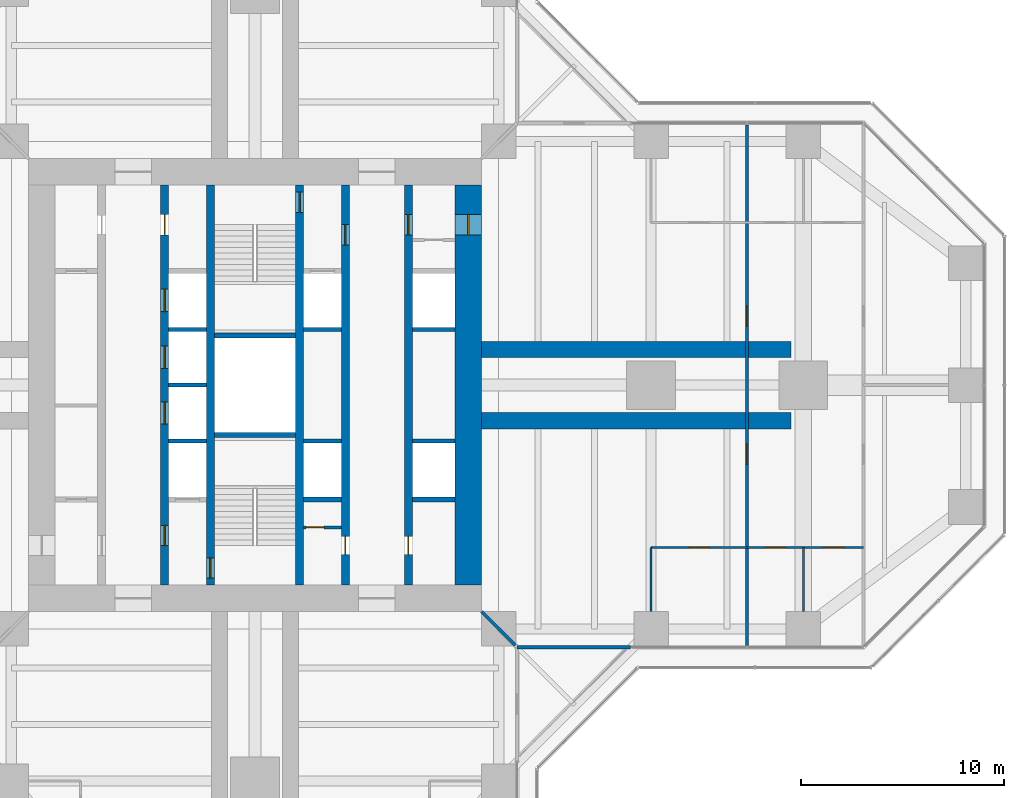
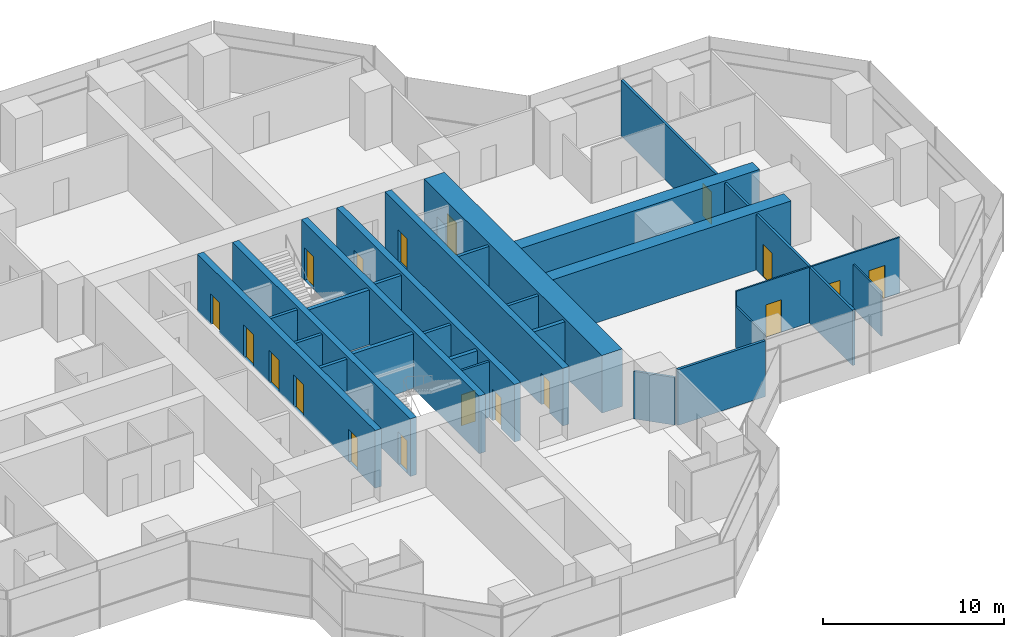
# One storey, part 16 of 20: 27 walls, 18 doors, 18 openings.
"""IFC4 building model written with IfcOpenShell, lengths in metres."""

from ifc_helpers import new_model, si_unit, direction, frame, frame_2d, origin, place, context, subcontext, project, spatial, rectangle, extrude, material, layer, layer_set, type_object, element, fill, save


model = new_model("IFC4")

# Units and contexts
model_context = context("Model", 3, precision=1e-05, world=origin(), true_north=direction((0.0, 1.0)))
body_context = subcontext(model_context, "Body", "Model", "MODEL_VIEW")
ifc_project = project(units=[si_unit("LENGTHUNIT", "METRE"), si_unit("AREAUNIT", "SQUARE_METRE"), si_unit("VOLUMEUNIT", "CUBIC_METRE"), si_unit("PLANEANGLEUNIT", "RADIAN"), si_unit("MASSUNIT", "GRAM", prefix="KILO")], contexts=[model_context])

# Site, building, storey
site_placement = place(None, origin())
site = spatial("IfcSite", under=ifc_project, at=site_placement, CompositionType="ELEMENT")
building_placement = place(site_placement, origin())
building = spatial("IfcBuilding", under=site, at=building_placement, Name="Mizan Broadcast Tower", CompositionType="ELEMENT")
storey_placement = place(building_placement, frame((0.0, 0.0, 143.699951171875)))
storey = spatial("IfcBuildingStorey", under=building, at=storey_placement, Name="L32", CompositionType="ELEMENT", Elevation=143.699951171875)

# Wall, openings, doors
ifc_material_1 = material(Name="Concrete C70/85", Category="concrete")
ifc_layer_1 = layer(ifc_material_1, 0.39990234375)
ifc_layer_set_1 = layer_set([ifc_layer_1], Name="Concrete C70/85")
wall_type_1 = type_object("IfcWallType", Name="CORE INTERNAL WALL 400", PredefinedType="SHEAR", material=ifc_layer_set_1)
wall_1_placement = place(storey_placement, frame((7.550048828125, 9.85009765625, 0.0), z_axis=(0.0, 0.0, 1.0), x_axis=(0.0, -1.0, 0.0)))
wall_1 = element("IfcWall", 1, at=wall_1_placement, inside=storey, type_object=wall_type_1, Name="Core wall CORE/XW1E", PredefinedType="SHEAR", context=body_context, shape_type="SweptSolid", body=[
    extrude(rectangle(XDim=19.7001953125, YDim=0.39990234375, at=frame_2d((9.85009765625, 0.0))), origin(), (0.0, 0.0, 1.0), 3.900146484375),
])
opening_1_placement = place(wall_1_placement, frame((1.449951171875, 0.0, 0.0)))
opening_1 = element("IfcOpeningElement", 2, at=opening_1_placement, cuts=wall_1, Name="Opening D10F", PredefinedType="OPENING", context=body_context, shape_type="SweptSolid", body=[
    extrude(rectangle(XDim=1.0, YDim=2.199951171875, at=frame_2d((0.5, 1.10009765625))), frame((0.0, 0.2099609375, 0.0), z_axis=(0.0, -1.0, 0.0), x_axis=(1.0, 0.0, 0.0)), (0.0, 0.0, 1.0), 0.419921875),
])
opening_2_placement = place(wall_1_placement, frame((17.300048828125, 0.0, 0.0)))
opening_2 = element("IfcOpeningElement", 3, at=opening_2_placement, cuts=wall_1, Name="Opening D09", PredefinedType="OPENING", context=body_context, shape_type="SweptSolid", body=[
    extrude(rectangle(XDim=0.89990234375, YDim=2.10009765625, at=frame_2d((0.449951171875, 1.050048828125))), frame((0.0, 0.2099609375, 0.0), z_axis=(0.0, -1.0, 0.0), x_axis=(1.0, 0.0, 0.0)), (0.0, 0.0, 1.0), 0.419921875),
])
ifc_material_2 = material(Name="Steel door leaf in steel frame", Category="steel")
door_type_1 = type_object("IfcDoorType", Name="FIRE DOOR 1000 FD90", OperationType="SINGLE_SWING_LEFT", PredefinedType="DOOR", material=ifc_material_2)
door_1_placement = place(opening_1_placement, origin())
door_1 = element("IfcDoor", 4, at=door_1_placement, inside=storey, type_object=door_type_1, Name="East core passage door", OperationType="SINGLE_SWING_LEFT", OverallHeight=2.199951171875, OverallWidth=1.0, PredefinedType="DOOR", context=body_context, shape_type="SweptSolid", body=[
    extrude(rectangle(XDim=1.0, YDim=2.199951171875, at=frame_2d((0.5, 1.10009765625))), frame((0.0, 0.02490234375, 0.0), z_axis=(0.0, -1.0, 0.0), x_axis=(1.0, 0.0, 0.0)), (0.0, 0.0, 1.0), 0.050048828125),
])
fill(opening_1, door_1)
ifc_material_3 = material(Name="Timber door leaf in aluminium frame", Category="wood")
door_type_2 = type_object("IfcDoorType", Name="TOILET DOOR 900", OperationType="SINGLE_SWING_LEFT", PredefinedType="DOOR", material=ifc_material_3)
door_2_placement = place(opening_2_placement, origin())
door_2 = element("IfcDoor", 5, at=door_2_placement, inside=storey, type_object=door_type_2, Name="Female WC door", OperationType="SINGLE_SWING_RIGHT", OverallHeight=2.10009765625, OverallWidth=0.89990234375, PredefinedType="DOOR", context=body_context, shape_type="SweptSolid", body=[
    extrude(rectangle(XDim=0.89990234375, YDim=2.10009765625, at=frame_2d((0.449951171875, 1.050048828125))), frame((0.0, 0.02490234375, 0.0), z_axis=(0.0, -1.0, 0.0), x_axis=(1.0, 0.0, 0.0)), (0.0, 0.0, 1.0), 0.050048828125),
])
fill(opening_2, door_2)

wall_2_placement = place(storey_placement, frame((-4.449951171875, -9.85009765625, 0.0), z_axis=(0.0, 0.0, 1.0), x_axis=(0.0, 1.0, 0.0)))
wall_2 = element("IfcWall", 6, at=wall_2_placement, inside=storey, type_object=wall_type_1, Name="Core wall CORE/XWH", PredefinedType="SHEAR", context=body_context, shape_type="SweptSolid", body=[
    extrude(rectangle(XDim=19.7001953125, YDim=0.39990234375, at=frame_2d((9.85009765625, 0.0))), origin(), (0.0, 0.0, 1.0), 3.900146484375),
])
opening_3_placement = place(wall_2_placement, frame((1.949951171875, 0.0, 0.0)))
opening_3 = element("IfcOpeningElement", 7, at=opening_3_placement, cuts=wall_2, Name="Opening D10F", PredefinedType="OPENING", context=body_context, shape_type="SweptSolid", body=[
    extrude(rectangle(XDim=1.0, YDim=2.199951171875, at=frame_2d((0.5, 1.10009765625))), frame((0.0, 0.2099609375, 0.0), z_axis=(0.0, -1.0, 0.0), x_axis=(1.0, 0.0, 0.0)), (0.0, 0.0, 1.0), 0.419921875),
])
opening_4_placement = place(wall_2_placement, frame((17.25, 0.0, 0.0)))
opening_4 = element("IfcOpeningElement", 8, at=opening_4_placement, cuts=wall_2, Name="Opening D10A", PredefinedType="OPENING", context=body_context, shape_type="SweptSolid", body=[
    extrude(rectangle(XDim=1.0, YDim=2.10009765625, at=frame_2d((0.5, 1.050048828125))), frame((0.0, 0.2099609375, 0.0), z_axis=(0.0, -1.0, 0.0), x_axis=(1.0, 0.0, 0.0)), (0.0, 0.0, 1.0), 0.419921875),
])
opening_5_placement = place(wall_2_placement, frame((7.925048828125, 0.0, 0.0)))
opening_5 = element("IfcOpeningElement", 9, at=opening_5_placement, cuts=wall_2, Name="Opening LD", PredefinedType="OPENING", context=body_context, shape_type="SweptSolid", body=[
    extrude(rectangle(XDim=1.10009765625, YDim=2.199951171875, at=frame_2d((0.550048828125, 1.10009765625))), frame((0.0, 0.2099609375, 0.0), z_axis=(0.0, -1.0, 0.0), x_axis=(1.0, 0.0, 0.0)), (0.0, 0.0, 1.0), 0.419921875),
])
opening_6_placement = place(wall_2_placement, frame((10.675048828125, 0.0, 0.0)))
opening_6 = element("IfcOpeningElement", 10, at=opening_6_placement, cuts=wall_2, Name="Opening LD", PredefinedType="OPENING", context=body_context, shape_type="SweptSolid", body=[
    extrude(rectangle(XDim=1.10009765625, YDim=2.199951171875, at=frame_2d((0.550048828125, 1.10009765625))), frame((0.0, 0.2099609375, 0.0), z_axis=(0.0, -1.0, 0.0), x_axis=(1.0, 0.0, 0.0)), (0.0, 0.0, 1.0), 0.419921875),
])
opening_7_placement = place(wall_2_placement, frame((13.47509765625, 0.0, 0.0)))
opening_7 = element("IfcOpeningElement", 11, at=opening_7_placement, cuts=wall_2, Name="Opening LD", PredefinedType="OPENING", context=body_context, shape_type="SweptSolid", body=[
    extrude(rectangle(XDim=1.10009765625, YDim=2.199951171875, at=frame_2d((0.550048828125, 1.10009765625))), frame((0.0, 0.2099609375, 0.0), z_axis=(0.0, -1.0, 0.0), x_axis=(1.0, 0.0, 0.0)), (0.0, 0.0, 1.0), 0.419921875),
])
ifc_material_4 = material(Name="Timber door leaf in aluminium frame", Category="wood")
door_type_3 = type_object("IfcDoorType", Name="ACCESSIBLE WC DOOR 1000", OperationType="SLIDING_TO_LEFT", PredefinedType="DOOR", material=ifc_material_4)
door_3_placement = place(opening_4_placement, origin())
door_3 = element("IfcDoor", 12, at=door_3_placement, inside=storey, type_object=door_type_3, Name="Accessible WC door", OperationType="SLIDING_TO_LEFT", OverallHeight=2.10009765625, OverallWidth=1.0, PredefinedType="DOOR", context=body_context, shape_type="SweptSolid", body=[
    extrude(rectangle(XDim=1.0, YDim=2.10009765625, at=frame_2d((0.5, 1.050048828125))), frame((0.0, 0.02490234375, 0.0), z_axis=(0.0, -1.0, 0.0), x_axis=(1.0, 0.0, 0.0)), (0.0, 0.0, 1.0), 0.050048828125),
])
fill(opening_4, door_3)
door_4_placement = place(opening_3_placement, origin())
door_4 = element("IfcDoor", 13, at=door_4_placement, inside=storey, type_object=door_type_1, Name="Firefighting lobby A door", OperationType="SINGLE_SWING_LEFT", OverallHeight=2.199951171875, OverallWidth=1.0, PredefinedType="DOOR", context=body_context, shape_type="SweptSolid", body=[
    extrude(rectangle(XDim=1.0, YDim=2.199951171875, at=frame_2d((0.5, 1.10009765625))), frame((0.0, 0.02490234375, 0.0), z_axis=(0.0, -1.0, 0.0), x_axis=(1.0, 0.0, 0.0)), (0.0, 0.0, 1.0), 0.050048828125),
])
fill(opening_3, door_4)
ifc_material_5 = material(Name="Steel door leaf in steel frame", Category="steel")
door_type_4 = type_object("IfcDoorType", Name="LIFT LANDING DOOR 1100", OperationType="SLIDING_TO_LEFT", PredefinedType="DOOR", material=ifc_material_5)
door_5_placement = place(opening_5_placement, origin())
door_5 = element("IfcDoor", 14, at=door_5_placement, inside=storey, type_object=door_type_4, Name="Landing door LB1", OperationType="SLIDING_TO_LEFT", OverallHeight=2.199951171875, OverallWidth=1.10009765625, PredefinedType="DOOR", context=body_context, shape_type="SweptSolid", body=[
    extrude(rectangle(XDim=1.10009765625, YDim=2.199951171875, at=frame_2d((0.550048828125, 1.10009765625))), frame((0.0, 0.02490234375, 0.0), z_axis=(0.0, -1.0, 0.0), x_axis=(1.0, 0.0, 0.0)), (0.0, 0.0, 1.0), 0.050048828125),
])
fill(opening_5, door_5)
door_6_placement = place(opening_6_placement, origin())
door_6 = element("IfcDoor", 15, at=door_6_placement, inside=storey, type_object=door_type_4, Name="Landing door LB2", OperationType="SLIDING_TO_LEFT", OverallHeight=2.199951171875, OverallWidth=1.10009765625, PredefinedType="DOOR", context=body_context, shape_type="SweptSolid", body=[
    extrude(rectangle(XDim=1.10009765625, YDim=2.199951171875, at=frame_2d((0.550048828125, 1.10009765625))), frame((0.0, 0.02490234375, 0.0), z_axis=(0.0, -1.0, 0.0), x_axis=(1.0, 0.0, 0.0)), (0.0, 0.0, 1.0), 0.050048828125),
])
fill(opening_6, door_6)
door_7_placement = place(opening_7_placement, origin())
door_7 = element("IfcDoor", 16, at=door_7_placement, inside=storey, type_object=door_type_4, Name="Landing door LB3", OperationType="SLIDING_TO_LEFT", OverallHeight=2.199951171875, OverallWidth=1.10009765625, PredefinedType="DOOR", context=body_context, shape_type="SweptSolid", body=[
    extrude(rectangle(XDim=1.10009765625, YDim=2.199951171875, at=frame_2d((0.550048828125, 1.10009765625))), frame((0.0, 0.02490234375, 0.0), z_axis=(0.0, -1.0, 0.0), x_axis=(1.0, 0.0, 0.0)), (0.0, 0.0, 1.0), 0.050048828125),
])
fill(opening_7, door_7)

wall_3_placement = place(storey_placement, frame((4.449951171875, 9.85009765625, 0.0), z_axis=(0.0, 0.0, 1.0), x_axis=(0.0, -1.0, 0.0)))
wall_3 = element("IfcWall", 17, at=wall_3_placement, inside=storey, type_object=wall_type_1, Name="Core wall CORE/XWHE", PredefinedType="SHEAR", context=body_context, shape_type="SweptSolid", body=[
    extrude(rectangle(XDim=19.7001953125, YDim=0.39990234375, at=frame_2d((9.85009765625, 0.0))), origin(), (0.0, 0.0, 1.0), 3.900146484375),
])
opening_8_placement = place(wall_3_placement, frame((1.949951171875, 0.0, 0.0)))
opening_8 = element("IfcOpeningElement", 18, at=opening_8_placement, cuts=wall_3, Name="Opening D10F", PredefinedType="OPENING", context=body_context, shape_type="SweptSolid", body=[
    extrude(rectangle(XDim=1.0, YDim=2.199951171875, at=frame_2d((0.5, 1.10009765625))), frame((0.0, 0.2099609375, 0.0), z_axis=(0.0, -1.0, 0.0), x_axis=(1.0, 0.0, 0.0)), (0.0, 0.0, 1.0), 0.419921875),
])
opening_9_placement = place(wall_3_placement, frame((17.300048828125, 0.0, 0.0)))
opening_9 = element("IfcOpeningElement", 19, at=opening_9_placement, cuts=wall_3, Name="Opening D09", PredefinedType="OPENING", context=body_context, shape_type="SweptSolid", body=[
    extrude(rectangle(XDim=0.89990234375, YDim=2.10009765625, at=frame_2d((0.449951171875, 1.050048828125))), frame((0.0, 0.2099609375, 0.0), z_axis=(0.0, -1.0, 0.0), x_axis=(1.0, 0.0, 0.0)), (0.0, 0.0, 1.0), 0.419921875),
])
door_8_placement = place(opening_8_placement, origin())
door_8 = element("IfcDoor", 20, at=door_8_placement, inside=storey, type_object=door_type_1, Name="Firefighting lobby B door", OperationType="SINGLE_SWING_LEFT", OverallHeight=2.199951171875, OverallWidth=1.0, PredefinedType="DOOR", context=body_context, shape_type="SweptSolid", body=[
    extrude(rectangle(XDim=1.0, YDim=2.199951171875, at=frame_2d((0.5, 1.10009765625))), frame((0.0, 0.02490234375, 0.0), z_axis=(0.0, -1.0, 0.0), x_axis=(1.0, 0.0, 0.0)), (0.0, 0.0, 1.0), 0.050048828125),
])
fill(opening_8, door_8)
door_9_placement = place(opening_9_placement, origin())
door_9 = element("IfcDoor", 21, at=door_9_placement, inside=storey, type_object=door_type_2, Name="Cleaner's store door", OperationType="SINGLE_SWING_RIGHT", OverallHeight=2.10009765625, OverallWidth=0.89990234375, PredefinedType="DOOR", context=body_context, shape_type="SweptSolid", body=[
    extrude(rectangle(XDim=0.89990234375, YDim=2.10009765625, at=frame_2d((0.449951171875, 1.050048828125))), frame((0.0, 0.02490234375, 0.0), z_axis=(0.0, -1.0, 0.0), x_axis=(1.0, 0.0, 0.0)), (0.0, 0.0, 1.0), 0.050048828125),
])
fill(opening_9, door_9)

# Wall, opening, door
wall_4_placement = place(storey_placement, frame((-2.199951171875, -9.85009765625, 0.0), z_axis=(0.0, 0.0, 1.0), x_axis=(0.0, 1.0, 0.0)))
wall_4 = element("IfcWall", 22, at=wall_4_placement, inside=storey, type_object=wall_type_1, Name="Core wall CORE/XW2", PredefinedType="SHEAR", context=body_context, shape_type="SweptSolid", body=[
    extrude(rectangle(XDim=19.7001953125, YDim=0.39990234375, at=frame_2d((9.85009765625, 0.0))), origin(), (0.0, 0.0, 1.0), 3.900146484375),
])
opening_10_placement = place(wall_4_placement, frame((0.35009765625, 0.0, 0.0)))
opening_10 = element("IfcOpeningElement", 23, at=opening_10_placement, cuts=wall_4, Name="Opening D10S", PredefinedType="OPENING", context=body_context, shape_type="SweptSolid", body=[
    extrude(rectangle(XDim=1.0, YDim=2.199951171875, at=frame_2d((0.5, 1.10009765625))), frame((0.0, 0.2099609375, 0.0), z_axis=(0.0, -1.0, 0.0), x_axis=(1.0, 0.0, 0.0)), (0.0, 0.0, 1.0), 0.419921875),
])
ifc_material_6 = material(Name="Steel door leaf in steel frame", Category="steel")
door_type_5 = type_object("IfcDoorType", Name="STAIR DOOR 1000 FD90S", OperationType="SINGLE_SWING_RIGHT", PredefinedType="DOOR", material=ifc_material_6)
door_10_placement = place(opening_10_placement, origin())
door_10 = element("IfcDoor", 24, at=door_10_placement, inside=storey, type_object=door_type_5, Name="Stair A door", OperationType="SINGLE_SWING_RIGHT", OverallHeight=2.199951171875, OverallWidth=1.0, PredefinedType="DOOR", context=body_context, shape_type="SweptSolid", body=[
    extrude(rectangle(XDim=1.0, YDim=2.199951171875, at=frame_2d((0.5, 1.10009765625))), frame((0.0, 0.02490234375, 0.0), z_axis=(0.0, -1.0, 0.0), x_axis=(1.0, 0.0, 0.0)), (0.0, 0.0, 1.0), 0.050048828125),
])
fill(opening_10, door_10)

wall_5_placement = place(storey_placement, frame((2.199951171875, 9.85009765625, 0.0), z_axis=(0.0, 0.0, 1.0), x_axis=(0.0, -1.0, 0.0)))
wall_5 = element("IfcWall", 25, at=wall_5_placement, inside=storey, type_object=wall_type_1, Name="Core wall CORE/XW2E", PredefinedType="SHEAR", context=body_context, shape_type="SweptSolid", body=[
    extrude(rectangle(XDim=19.7001953125, YDim=0.39990234375, at=frame_2d((9.85009765625, 0.0))), origin(), (0.0, 0.0, 1.0), 3.900146484375),
])
opening_11_placement = place(wall_5_placement, frame((0.35009765625, 0.0, 0.0)))
opening_11 = element("IfcOpeningElement", 26, at=opening_11_placement, cuts=wall_5, Name="Opening D10S", PredefinedType="OPENING", context=body_context, shape_type="SweptSolid", body=[
    extrude(rectangle(XDim=1.0, YDim=2.199951171875, at=frame_2d((0.5, 1.10009765625))), frame((0.0, 0.2099609375, 0.0), z_axis=(0.0, -1.0, 0.0), x_axis=(1.0, 0.0, 0.0)), (0.0, 0.0, 1.0), 0.419921875),
])
door_11_placement = place(opening_11_placement, origin())
door_11 = element("IfcDoor", 27, at=door_11_placement, inside=storey, type_object=door_type_5, Name="Stair B door", OperationType="SINGLE_SWING_RIGHT", OverallHeight=2.199951171875, OverallWidth=1.0, PredefinedType="DOOR", context=body_context, shape_type="SweptSolid", body=[
    extrude(rectangle(XDim=1.0, YDim=2.199951171875, at=frame_2d((0.5, 1.10009765625))), frame((0.0, 0.02490234375, 0.0), z_axis=(0.0, -1.0, 0.0), x_axis=(1.0, 0.0, 0.0)), (0.0, 0.0, 1.0), 0.050048828125),
])
fill(opening_11, door_11)

ifc_material_7 = material(Name="Concrete blockwork", Category="masonry")
ifc_layer_2 = layer(ifc_material_7, 0.14990234375)
ifc_layer_set_2 = layer_set([ifc_layer_2], Name="Concrete blockwork")
wall_type_2 = type_object("IfcWallType", Name="CORE PARTITION 150", PredefinedType="SOLIDWALL", material=ifc_layer_set_2)
wall_6_placement = place(storey_placement, frame((2.39990234375, -7.0, 0.0), z_axis=(0.0, 0.0, 1.0), x_axis=(1.0, 0.0, 0.0)))
wall_6 = element("IfcWall", 28, at=wall_6_placement, inside=storey, type_object=wall_type_2, Name="Core partition CORE/XPC", PredefinedType="SOLIDWALL", context=body_context, shape_type="SweptSolid", body=[
    extrude(rectangle(XDim=1.85009765625, YDim=0.14990234375, at=frame_2d((0.925048828125, 0.0))), origin(), (0.0, 0.0, 1.0), 3.77001953125),
])
opening_12_placement = place(wall_6_placement, frame((0.10009765625, 0.0, 0.0)))
opening_12 = element("IfcOpeningElement", 29, at=opening_12_placement, cuts=wall_6, Name="Opening D09F", PredefinedType="OPENING", context=body_context, shape_type="SweptSolid", body=[
    extrude(rectangle(XDim=0.89990234375, YDim=2.10009765625, at=frame_2d((0.449951171875, 1.050048828125))), frame((0.0, 0.0849609375, 0.0), z_axis=(0.0, -1.0, 0.0), x_axis=(1.0, 0.0, 0.0)), (0.0, 0.0, 1.0), 0.169921875),
])
ifc_material_8 = material(Name="Steel door leaf in steel frame", Category="steel")
door_type_6 = type_object("IfcDoorType", Name="CORE ROOM DOOR 900 FD90", OperationType="SINGLE_SWING_LEFT", PredefinedType="DOOR", material=ifc_material_8)
door_12_placement = place(opening_12_placement, origin())
door_12 = element("IfcDoor", 30, at=door_12_placement, inside=storey, type_object=door_type_6, Name="Cleaning materials store door", OperationType="SINGLE_SWING_LEFT", OverallHeight=2.10009765625, OverallWidth=0.89990234375, PredefinedType="DOOR", context=body_context, shape_type="SweptSolid", body=[
    extrude(rectangle(XDim=0.89990234375, YDim=2.10009765625, at=frame_2d((0.449951171875, 1.050048828125))), frame((0.0, 0.02490234375, 0.0), z_axis=(0.0, -1.0, 0.0), x_axis=(1.0, 0.0, 0.0)), (0.0, 0.0, 1.0), 0.050048828125),
])
fill(opening_12, door_12)

ifc_material_9 = material(Name="Concrete C70/85", Category="concrete")
ifc_layer_3 = layer(ifc_material_9, 1.300048828125)
ifc_layer_set_3 = layer_set([ifc_layer_3], Name="Concrete C70/85")
wall_type_3 = type_object("IfcWallType", Name="CORE WALL 1300", PredefinedType="SHEAR", material=ifc_layer_set_3)
wall_7_placement = place(storey_placement, frame((10.5, -9.85009765625, 0.0), z_axis=(0.0, 0.0, 1.0), x_axis=(0.0, 1.0, 0.0)))
wall_7 = element("IfcWall", 31, at=wall_7_placement, inside=storey, type_object=wall_type_3, Name="Core wall E L32", PredefinedType="SHEAR", context=body_context, shape_type="SweptSolid", body=[
    extrude(rectangle(XDim=19.7001953125, YDim=1.300048828125, at=frame_2d((9.85009765625, 0.0))), origin(), (0.0, 0.0, 1.0), 3.900146484375),
])
opening_13_placement = place(wall_7_placement, frame((17.25, 0.0, 0.0)))
opening_13 = element("IfcOpeningElement", 32, at=opening_13_placement, cuts=wall_7, Name="Opening D10F", PredefinedType="OPENING", context=body_context, shape_type="SweptSolid", body=[
    extrude(rectangle(XDim=1.0, YDim=2.199951171875, at=frame_2d((0.5, 1.10009765625))), frame((0.0, 0.659912109375, 0.0), z_axis=(0.0, -1.0, 0.0), x_axis=(1.0, 0.0, 0.0)), (0.0, 0.0, 1.0), 1.320068359375),
])
door_13_placement = place(opening_13_placement, origin())
door_13 = element("IfcDoor", 33, at=door_13_placement, inside=storey, type_object=door_type_1, Name="East core passage arm door", OperationType="SINGLE_SWING_RIGHT", OverallHeight=2.199951171875, OverallWidth=1.0, PredefinedType="DOOR", context=body_context, shape_type="SweptSolid", body=[
    extrude(rectangle(XDim=1.0, YDim=2.199951171875, at=frame_2d((0.5, 1.10009765625))), frame((0.0, 0.02490234375, 0.0), z_axis=(0.0, -1.0, 0.0), x_axis=(1.0, 0.0, 0.0)), (0.0, 0.0, 1.0), 0.050048828125),
])
fill(opening_13, door_13)

# Walls
ifc_material_10 = material(Name="Aluminium framed glazed screen", Category="aluminium")
ifc_layer_4 = layer(ifc_material_10, 0.159912109375)
ifc_layer_set_4 = layer_set([ifc_layer_4], Name="Aluminium framed glazed screen")
wall_type_4 = type_object("IfcWallType", Name="GLAZED SCREEN WALL 160", PredefinedType="SOLIDWALL", material=ifc_layer_set_4)
wall_8_placement = place(storey_placement, frame((12.89990234375, -12.89990234375, 0.0), z_axis=(0.0, 0.0, 1.0), x_axis=(1.0, 0.0, 0.0)))
element("IfcWall", 34, at=wall_8_placement, inside=storey, type_object=wall_type_4, Name="Winter garden screen L32 E", PredefinedType="SOLIDWALL", context=body_context, shape_type="SweptSolid", body=[
    extrude(rectangle(XDim=5.60009765625, YDim=0.159912109375, at=frame_2d((2.800048828125, 0.0))), origin(), (0.0, 0.0, 1.0), 3.77001953125),
])
ifc_material_11 = material(Name="Concrete blockwork", Category="masonry")
ifc_layer_5 = layer(ifc_material_11, 0.199951171875)
ifc_layer_set_5 = layer_set([ifc_layer_5], Name="Concrete blockwork")
wall_type_5 = type_object("IfcWallType", Name="LIFT SHAFT WALL 200", PredefinedType="SOLIDWALL", material=ifc_layer_set_5)
for number, where, z_axis, x_axis, name in (
    (35, (-4.25, -2.75, 0.0), (0.0, 0.0, 1.0), (1.0, 0.0, 0.0), "Lift shaft wall CORE/SW2-1"),
    (36, (2.39990234375, -2.75, 0.0), (0.0, 0.0, 1.0), (1.0, 0.0, 0.0), "Lift shaft wall CORE/SE2-1"),
):
    element("IfcWall", number, at=place(storey_placement, frame(where, z_axis=z_axis, x_axis=x_axis)), inside=storey, type_object=wall_type_5, Name=name, PredefinedType="SOLIDWALL", context=body_context, shape_type="SweptSolid", body=[
        extrude(rectangle(XDim=1.85009765625, YDim=0.199951171875, at=frame_2d((0.925048828125, 0.0))), origin(), (0.0, 0.0, 1.0), 3.699951171875),
    ])
wall_9_placement = place(storey_placement, frame((7.75, -2.75, 0.0), z_axis=(0.0, 0.0, 1.0), x_axis=(1.0, 0.0, 0.0)))
element("IfcWall", 37, at=wall_9_placement, inside=storey, type_object=wall_type_5, Name="Lift shaft wall CORE/SE1-1", PredefinedType="SOLIDWALL", context=body_context, shape_type="SweptSolid", body=[
    extrude(rectangle(XDim=2.10009765625, YDim=0.199951171875, at=frame_2d((1.050048828125, 0.0))), origin(), (0.0, 0.0, 1.0), 3.699951171875),
])
for number, where, z_axis, x_axis, name in (
    (38, (-4.25, 0.0, 0.0), (0.0, 0.0, 1.0), (1.0, 0.0, 0.0), "Lift shaft wall CORE/SW2-2"),
    (39, (-4.25, 2.75, 0.0), (0.0, 0.0, 1.0), (1.0, 0.0, 0.0), "Lift shaft wall CORE/SW2-3"),
    (40, (2.39990234375, 2.75, 0.0), (0.0, 0.0, 1.0), (1.0, 0.0, 0.0), "Lift shaft wall CORE/SE2-3"),
):
    element("IfcWall", number, at=place(storey_placement, frame(where, z_axis=z_axis, x_axis=x_axis)), inside=storey, type_object=wall_type_5, Name=name, PredefinedType="SOLIDWALL", context=body_context, shape_type="SweptSolid", body=[
        extrude(rectangle(XDim=1.85009765625, YDim=0.199951171875, at=frame_2d((0.925048828125, 0.0))), origin(), (0.0, 0.0, 1.0), 3.699951171875),
    ])
wall_10_placement = place(storey_placement, frame((7.75, 2.75, 0.0), z_axis=(0.0, 0.0, 1.0), x_axis=(1.0, 0.0, 0.0)))
element("IfcWall", 41, at=wall_10_placement, inside=storey, type_object=wall_type_5, Name="Lift shaft wall CORE/SE1-3", PredefinedType="SOLIDWALL", context=body_context, shape_type="SweptSolid", body=[
    extrude(rectangle(XDim=2.10009765625, YDim=0.199951171875, at=frame_2d((1.050048828125, 0.0))), origin(), (0.0, 0.0, 1.0), 3.699951171875),
])
ifc_material_12 = material(Name="Concrete blockwork", Category="masonry")
ifc_layer_6 = layer(ifc_material_12, 0.25)
ifc_layer_set_6 = layer_set([ifc_layer_6], Name="Concrete blockwork")
wall_type_6 = type_object("IfcWallType", Name="LOBBY ENCLOSURE WALL 250", PredefinedType="SOLIDWALL", material=ifc_layer_set_6)
wall_11_placement = place(storey_placement, frame((2.39990234375, -5.625, 0.0), z_axis=(0.0, 0.0, 1.0), x_axis=(1.0, 0.0, 0.0)))
element("IfcWall", 42, at=wall_11_placement, inside=storey, type_object=wall_type_6, Name="Lobby enclosure wall CORE/BE2S", PredefinedType="SOLIDWALL", context=body_context, shape_type="SweptSolid", body=[
    extrude(rectangle(XDim=1.85009765625, YDim=0.25, at=frame_2d((0.925048828125, 0.0))), origin(), (0.0, 0.0, 1.0), 3.699951171875),
])
wall_12_placement = place(storey_placement, frame((7.75, -5.625, 0.0), z_axis=(0.0, 0.0, 1.0), x_axis=(1.0, 0.0, 0.0)))
element("IfcWall", 43, at=wall_12_placement, inside=storey, type_object=wall_type_6, Name="Lobby enclosure wall CORE/BE1S", PredefinedType="SOLIDWALL", context=body_context, shape_type="SweptSolid", body=[
    extrude(rectangle(XDim=2.10009765625, YDim=0.25, at=frame_2d((1.050048828125, 0.0))), origin(), (0.0, 0.0, 1.0), 3.699951171875),
])
for number, where, z_axis, x_axis, name in (
    (44, (-2.0, -2.449951171875, 0.0), (0.0, 0.0, 1.0), (1.0, 0.0, 0.0), "Lobby enclosure wall CORE/STA"),
    (45, (-2.0, 2.449951171875, 0.0), (0.0, 0.0, 1.0), (1.0, 0.0, 0.0), "Lobby enclosure wall CORE/STB"),
):
    element("IfcWall", number, at=place(storey_placement, frame(where, z_axis=z_axis, x_axis=x_axis)), inside=storey, type_object=wall_type_6, Name=name, PredefinedType="SOLIDWALL", context=body_context, shape_type="SweptSolid", body=[
        extrude(rectangle(XDim=4.0, YDim=0.25, at=frame_2d((2.0, 0.0))), origin(), (0.0, 0.0, 1.0), 3.699951171875),
    ])

# Wall, openings, doors
ifc_material_13 = material(Name="Gypsum board on steel studs", Category="steel")
ifc_layer_7 = layer(ifc_material_13, 0.14990234375)
ifc_layer_set_7 = layer_set([ifc_layer_7], Name="Gypsum board on steel studs")
wall_type_7 = type_object("IfcWallType", Name="PARTITION 150", PredefinedType="PARTITIONING", material=ifc_layer_set_7)
wall_13_placement = place(storey_placement, frame((24.22900390625, -12.820068359375, 0.0), z_axis=(0.0, 0.0, 1.0), x_axis=(0.0, 1.0, 0.0)))
wall_13 = element("IfcWall", 46, at=wall_13_placement, inside=storey, type_object=wall_type_7, Name="Partition PT/EX1", PredefinedType="PARTITIONING", context=body_context, shape_type="SweptSolid", body=[
    extrude(rectangle(XDim=25.64013671875, YDim=0.14990234375, at=frame_2d((12.820068359375, 0.0))), origin(), (0.0, 0.0, 1.0), 3.77001953125),
])
opening_14_placement = place(wall_13_placement, frame((15.719970703125, 0.0, 0.0)))
opening_14 = element("IfcOpeningElement", 47, at=opening_14_placement, cuts=wall_13, Name="Opening D10", PredefinedType="OPENING", context=body_context, shape_type="SweptSolid", body=[
    extrude(rectangle(XDim=1.0, YDim=2.199951171875, at=frame_2d((0.5, 1.10009765625))), frame((0.0, 0.0849609375, 0.0), z_axis=(0.0, -1.0, 0.0), x_axis=(1.0, 0.0, 0.0)), (0.0, 0.0, 1.0), 0.169921875),
])
opening_15_placement = place(wall_13_placement, frame((8.919921875, 0.0, 0.0)))
opening_15 = element("IfcOpeningElement", 48, at=opening_15_placement, cuts=wall_13, Name="Opening D10", PredefinedType="OPENING", context=body_context, shape_type="SweptSolid", body=[
    extrude(rectangle(XDim=1.0, YDim=2.199951171875, at=frame_2d((0.5, 1.10009765625))), frame((0.0, 0.0849609375, 0.0), z_axis=(0.0, -1.0, 0.0), x_axis=(1.0, 0.0, 0.0)), (0.0, 0.0, 1.0), 0.169921875),
])
ifc_material_14 = material(Name="Timber door leaf in aluminium frame", Category="wood")
door_type_7 = type_object("IfcDoorType", Name="ROOM DOOR 1000", OperationType="SINGLE_SWING_LEFT", PredefinedType="DOOR", material=ifc_material_14)
door_14_placement = place(opening_14_placement, origin())
door_14 = element("IfcDoor", 49, at=door_14_placement, inside=storey, type_object=door_type_7, Name="Open office door", OperationType="SINGLE_SWING_RIGHT", OverallHeight=2.199951171875, OverallWidth=1.0, PredefinedType="DOOR", context=body_context, shape_type="SweptSolid", body=[
    extrude(rectangle(XDim=1.0, YDim=2.199951171875, at=frame_2d((0.5, 1.10009765625))), frame((0.0, 0.02490234375, 0.0), z_axis=(0.0, -1.0, 0.0), x_axis=(1.0, 0.0, 0.0)), (0.0, 0.0, 1.0), 0.050048828125),
])
fill(opening_14, door_14)
door_15_placement = place(opening_15_placement, origin())
door_15 = element("IfcDoor", 50, at=door_15_placement, inside=storey, type_object=door_type_7, Name="Open office door", OperationType="SINGLE_SWING_LEFT", OverallHeight=2.199951171875, OverallWidth=1.0, PredefinedType="DOOR", context=body_context, shape_type="SweptSolid", body=[
    extrude(rectangle(XDim=1.0, YDim=2.199951171875, at=frame_2d((0.5, 1.10009765625))), frame((0.0, 0.02490234375, 0.0), z_axis=(0.0, -1.0, 0.0), x_axis=(1.0, 0.0, 0.0)), (0.0, 0.0, 1.0), 0.050048828125),
])
fill(opening_15, door_15)

# Wall
wall_14_placement = place(storey_placement, frame((11.14990234375, -11.14990234375, 0.0), z_axis=(0.0, 0.0, 1.0), x_axis=(0.707106781187, -0.707106781187, 0.0)))
element("IfcWall", 51, at=wall_14_placement, inside=storey, type_object=wall_type_7, Name="Partition PT/DGES", PredefinedType="PARTITIONING", context=body_context, shape_type="SweptSolid", body=[
    extrude(rectangle(XDim=2.362060546875, YDim=0.14990234375, at=frame_2d((1.18115234375, 0.0))), origin(), (0.0, 0.0, 1.0), 3.219970703125),
])

# Wall, opening, door
ifc_material_15 = material(Name="Glazed aluminium partition on aluminium track", Category="aluminium")
ifc_layer_8 = layer(ifc_material_15, 0.10009765625)
ifc_layer_set_8 = layer_set([ifc_layer_8], Name="Glazed aluminium partition on aluminium track")
wall_type_8 = type_object("IfcWallType", Name="PARTITION GLAZED OFFICE FRONT 100", PredefinedType="PARTITIONING", material=ifc_layer_set_8)
wall_15_placement = place(storey_placement, frame((19.5, -8.0, 0.0), z_axis=(0.0, 0.0, 1.0), x_axis=(1.0, 0.0, 0.0)))
wall_15 = element("IfcWall", 52, at=wall_15_placement, inside=storey, type_object=wall_type_8, Name="Glazed office front PT/ECN0", PredefinedType="PARTITIONING", context=body_context, shape_type="SweptSolid", body=[
    extrude(rectangle(XDim=4.72900390625, YDim=0.10009765625, at=frame_2d((2.364501953125, 0.0))), origin(), (0.0, 0.0, 1.0), 3.77001953125),
])
opening_16_placement = place(wall_15_placement, frame((1.864501953125, 0.0, 0.0)))
opening_16 = element("IfcOpeningElement", 53, at=opening_16_placement, cuts=wall_15, Name="Opening D10O", PredefinedType="OPENING", context=body_context, shape_type="SweptSolid", body=[
    extrude(rectangle(XDim=1.0, YDim=2.199951171875, at=frame_2d((0.5, 1.10009765625))), frame((0.0, 0.06005859375, 0.0), z_axis=(0.0, -1.0, 0.0), x_axis=(1.0, 0.0, 0.0)), (0.0, 0.0, 1.0), 0.1201171875),
])
ifc_material_16 = material(Name="Timber door leaf in aluminium frame", Category="wood")
door_type_8 = type_object("IfcDoorType", Name="OFFICE DOOR 1000 GLAZED", OperationType="SINGLE_SWING_LEFT", PredefinedType="DOOR", material=ifc_material_16)
door_16_placement = place(opening_16_placement, origin())
door_16 = element("IfcDoor", 54, at=door_16_placement, inside=storey, type_object=door_type_8, Name="Lawyer's office door", OperationType="SINGLE_SWING_LEFT", OverallHeight=2.199951171875, OverallWidth=1.0, PredefinedType="DOOR", context=body_context, shape_type="SweptSolid", body=[
    extrude(rectangle(XDim=1.0, YDim=2.199951171875, at=frame_2d((0.5, 1.10009765625))), frame((0.0, 0.02490234375, 0.0), z_axis=(0.0, -1.0, 0.0), x_axis=(1.0, 0.0, 0.0)), (0.0, 0.0, 1.0), 0.050048828125),
])
fill(opening_16, door_16)

# Wall, openings, doors
wall_16_placement = place(storey_placement, frame((24.22900390625, -8.0, 0.0), z_axis=(0.0, 0.0, 1.0), x_axis=(1.0, 0.0, 0.0)))
wall_16 = element("IfcWall", 55, at=wall_16_placement, inside=storey, type_object=wall_type_8, Name="Glazed office front PT/ECN1", PredefinedType="PARTITIONING", context=body_context, shape_type="SweptSolid", body=[
    extrude(rectangle(XDim=5.72998046875, YDim=0.10009765625, at=frame_2d((2.864990234375, 0.0))), origin(), (0.0, 0.0, 1.0), 3.77001953125),
])
opening_17_placement = place(wall_16_placement, frame((0.885498046875, 0.0, 0.0)))
opening_17 = element("IfcOpeningElement", 56, at=opening_17_placement, cuts=wall_16, Name="Opening D10O", PredefinedType="OPENING", context=body_context, shape_type="SweptSolid", body=[
    extrude(rectangle(XDim=1.0, YDim=2.199951171875, at=frame_2d((0.5, 1.10009765625))), frame((0.0, 0.06005859375, 0.0), z_axis=(0.0, -1.0, 0.0), x_axis=(1.0, 0.0, 0.0)), (0.0, 0.0, 1.0), 0.1201171875),
])
opening_18_placement = place(wall_16_placement, frame((3.75048828125, 0.0, 0.0)))
opening_18 = element("IfcOpeningElement", 57, at=opening_18_placement, cuts=wall_16, Name="Opening D10O", PredefinedType="OPENING", context=body_context, shape_type="SweptSolid", body=[
    extrude(rectangle(XDim=1.0, YDim=2.199951171875, at=frame_2d((0.5, 1.10009765625))), frame((0.0, 0.06005859375, 0.0), z_axis=(0.0, -1.0, 0.0), x_axis=(1.0, 0.0, 0.0)), (0.0, 0.0, 1.0), 0.1201171875),
])
door_17_placement = place(opening_17_placement, origin())
door_17 = element("IfcDoor", 58, at=door_17_placement, inside=storey, type_object=door_type_8, Name="Lawyer's office door", OperationType="SINGLE_SWING_LEFT", OverallHeight=2.199951171875, OverallWidth=1.0, PredefinedType="DOOR", context=body_context, shape_type="SweptSolid", body=[
    extrude(rectangle(XDim=1.0, YDim=2.199951171875, at=frame_2d((0.5, 1.10009765625))), frame((0.0, 0.02490234375, 0.0), z_axis=(0.0, -1.0, 0.0), x_axis=(1.0, 0.0, 0.0)), (0.0, 0.0, 1.0), 0.050048828125),
])
fill(opening_17, door_17)
door_18_placement = place(opening_18_placement, origin())
door_18 = element("IfcDoor", 59, at=door_18_placement, inside=storey, type_object=door_type_8, Name="Lawyer's office door", OperationType="SINGLE_SWING_RIGHT", OverallHeight=2.199951171875, OverallWidth=1.0, PredefinedType="DOOR", context=body_context, shape_type="SweptSolid", body=[
    extrude(rectangle(XDim=1.0, YDim=2.199951171875, at=frame_2d((0.5, 1.10009765625))), frame((0.0, 0.02490234375, 0.0), z_axis=(0.0, -1.0, 0.0), x_axis=(1.0, 0.0, 0.0)), (0.0, 0.0, 1.0), 0.050048828125),
])
fill(opening_18, door_18)

# Walls
wall_17_placement = place(storey_placement, frame((19.5, -8.0, 0.0), z_axis=(0.0, 0.0, 1.0), x_axis=(0.0, -1.0, 0.0)))
element("IfcWall", 60, at=wall_17_placement, inside=storey, type_object=wall_type_8, Name="Glazed office front PT/EQN1950", PredefinedType="PARTITIONING", context=body_context, shape_type="SweptSolid", body=[
    extrude(rectangle(XDim=3.14990234375, YDim=0.10009765625, at=frame_2d((1.574951171875, 0.0))), origin(), (0.0, 0.0, 1.0), 2.77001953125),
])
wall_18_placement = place(storey_placement, frame((27.0, -8.0, 0.0), z_axis=(0.0, 0.0, 1.0), x_axis=(0.0, -1.0, 0.0)))
element("IfcWall", 61, at=wall_18_placement, inside=storey, type_object=wall_type_8, Name="Glazed office front PT/EQN2700", PredefinedType="PARTITIONING", context=body_context, shape_type="SweptSolid", body=[
    extrude(rectangle(XDim=3.14990234375, YDim=0.10009765625, at=frame_2d((1.574951171875, 0.0))), origin(), (0.0, 0.0, 1.0), 2.969970703125),
])
ifc_material_17 = material(Name="Concrete C70/85", Category="concrete")
ifc_layer_9 = layer(ifc_material_17, 0.800048828125)
ifc_layer_set_9 = layer_set([ifc_layer_9], Name="Concrete C70/85")
wall_type_9 = type_object("IfcWallType", Name="SPINE WALL 800", PredefinedType="SHEAR", material=ifc_layer_set_9)
for number, where, z_axis, x_axis, name in (
    (62, (11.14990234375, -1.75, 0.0), (0.0, 0.0, 1.0), (1.0, 0.0, 0.0), "Spine wall ER L32"),
    (63, (11.14990234375, 1.75, 0.0), (0.0, 0.0, 1.0), (1.0, 0.0, 0.0), "Spine wall EL L32"),
):
    element("IfcWall", number, at=place(storey_placement, frame(where, z_axis=z_axis, x_axis=x_axis)), inside=storey, type_object=wall_type_9, Name=name, PredefinedType="SHEAR", context=body_context, shape_type="SweptSolid", body=[
        extrude(rectangle(XDim=15.25, YDim=0.800048828125, at=frame_2d((7.625, 0.0))), origin(), (0.0, 0.0, 1.0), 3.900146484375),
    ])

save(model, "model.ifc")
